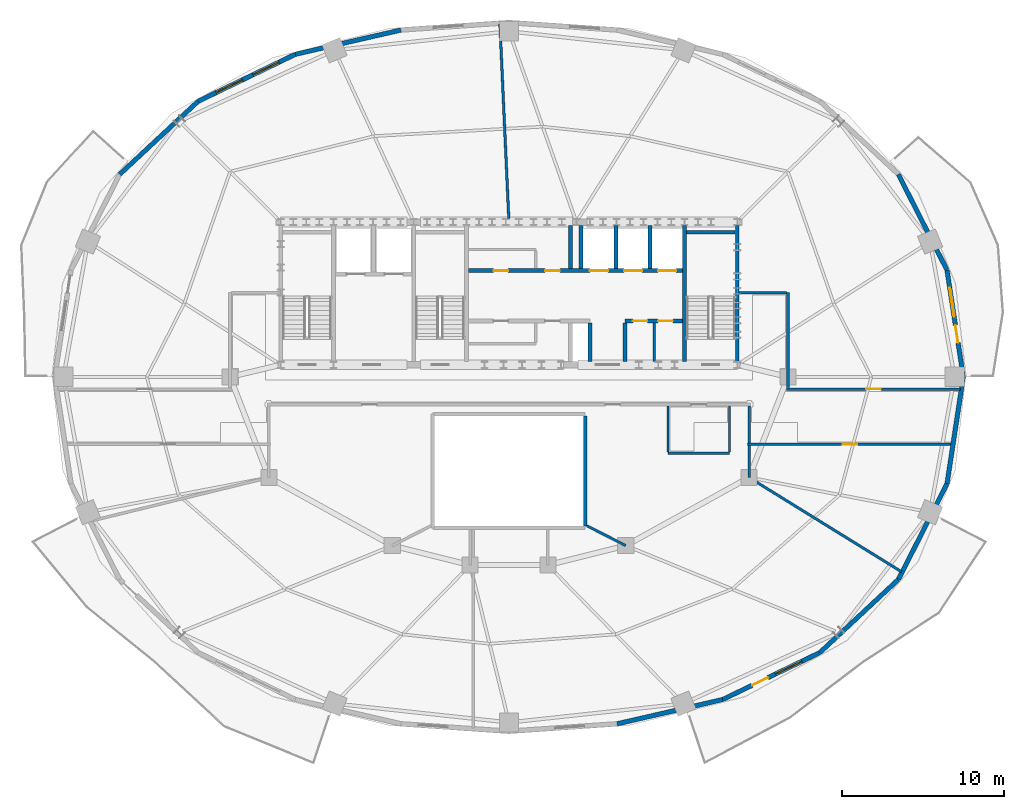
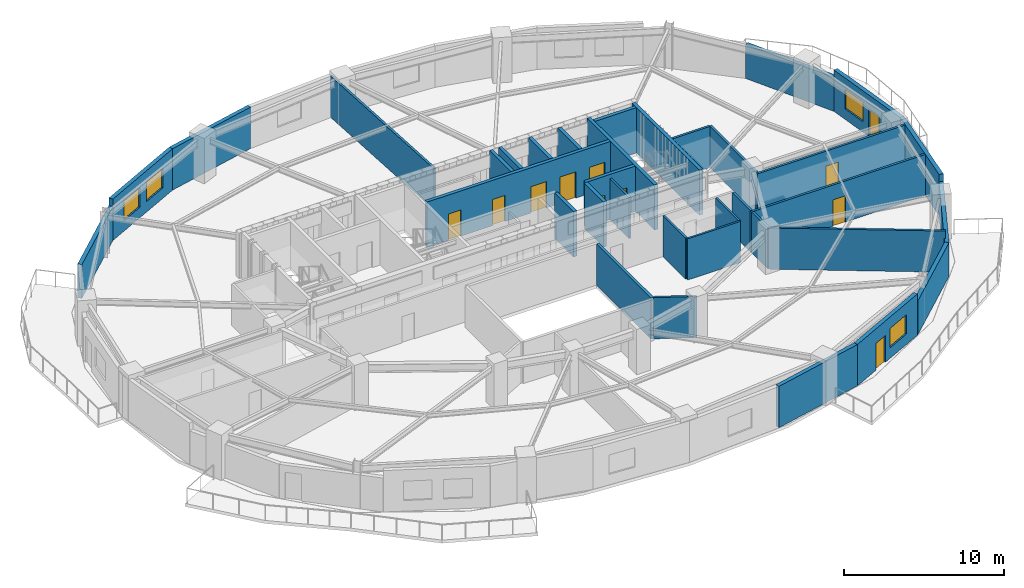
# One storey, part 5 of 11: 35 walls, 11 doors, 4 windows, 15 openings.
"""IFC4 building model written with IfcOpenShell, lengths in metres."""

from ifc_helpers import new_model, si_unit, direction, frame, frame_2d, origin, place, context, subcontext, project, spatial, rectangle, extrude, material, layer, layer_set, type_object, element, fill, save


model = new_model("IFC4")

# Units and contexts
model_context = context("Model", 3, precision=1e-05, world=origin(), true_north=direction((0.0, 1.0)))
body_context = subcontext(model_context, "Body", "Model", "MODEL_VIEW")
ifc_project = project(units=[si_unit("LENGTHUNIT", "METRE"), si_unit("AREAUNIT", "SQUARE_METRE"), si_unit("VOLUMEUNIT", "CUBIC_METRE"), si_unit("PLANEANGLEUNIT", "RADIAN"), si_unit("MASSUNIT", "GRAM", prefix="KILO")], contexts=[model_context])

# Site, building, storey
site_placement = place(None, origin())
site = spatial("IfcSite", under=ifc_project, at=site_placement, CompositionType="ELEMENT")
building_placement = place(site_placement, origin())
building = spatial("IfcBuilding", under=site, at=building_placement, Name="Haldorwick Loom Tower", CompositionType="ELEMENT")
storey_placement = place(building_placement, frame((0.0, 0.0, 218.64990234375)))
storey = spatial("IfcBuildingStorey", under=building, at=storey_placement, Name="L59", CompositionType="ELEMENT", Elevation=218.64990234375)

# Wall, openings, door, window
ifc_material_1 = material(Name="Pressed Clay Face Brick and Insulated Masonry Backup Assembly", Category="masonry")
ifc_layer_1 = layer(ifc_material_1, 0.280029296875, Name="Pressed Clay Face Brick and Insulated Masonry Backup Assembly", Category="masonry")
ifc_layer_set_1 = layer_set([ifc_layer_1], Name="Pressed Clay Face Brick and Insulated Masonry Backup Assembly")
wall_type_1 = type_object("IfcWallType", Name="ARC-WL-EXT280", PredefinedType="STANDARD", material=ifc_layer_set_1)
wall_1_placement = place(storey_placement, frame((64.00634765625, 26.0, 0.0), z_axis=(0.0, 0.0, 1.0), x_axis=(-0.150467697578, 0.988614926038, 0.0)))
wall_1 = element("IfcWall", 1, at=wall_1_placement, inside=storey, type_object=wall_type_1, Name="L59 Brick Pier and Spandrel Wall 1", PredefinedType="STANDARD", context=body_context, shape_type="SweptSolid", body=[
    extrude(rectangle(XDim=6.66064453125, YDim=0.280029296875, at=frame_2d((3.330322265625, 0.0))), origin(), (0.0, 0.0, 1.0), 3.150146484375),
])
opening_1_placement = place(wall_1_placement, frame((2.1328125, 0.0, 0.0)))
opening_1 = element("IfcOpeningElement", 2, at=opening_1_placement, cuts=wall_1, Name="Opening D-BL11", PredefinedType="OPENING", context=body_context, shape_type="SweptSolid", body=[
    extrude(rectangle(XDim=1.080078125, YDim=2.0400390625, at=frame_2d((0.5400390625, 1.02001953125))), frame((0.0, 0.14990234375, 0.0), z_axis=(0.0, -1.0, 0.0), x_axis=(1.0, 0.0, 0.0)), (0.0, 0.0, 1.0), 0.300048828125),
])
opening_2_placement = place(wall_1_placement, frame((3.762451171875, 0.0, 0.800048828125)))
opening_2 = element("IfcOpeningElement", 3, at=opening_2_placement, cuts=wall_1, Name="Opening W-01", PredefinedType="OPENING", context=body_context, shape_type="SweptSolid", body=[
    extrude(rectangle(XDim=1.800048828125, YDim=1.47998046875, at=frame_2d((0.89990234375, 0.739990234375))), frame((0.0, 0.14990234375, 0.0), z_axis=(0.0, -1.0, 0.0), x_axis=(1.0, 0.0, 0.0)), (0.0, 0.0, 1.0), 0.300048828125),
])
ifc_material_2 = material(Name="Thermally Broken Anodized Aluminium Curtain Wall Framing", Category="aluminium")
door_type_1 = type_object("IfcDoorType", Name="ARC-DR-BAL110", OperationType="NOTDEFINED", PredefinedType="DOOR", material=ifc_material_2)
door_1_placement = place(opening_1_placement, origin())
door_1 = element("IfcDoor", 4, at=door_1_placement, inside=storey, type_object=door_type_1, Name="L59 Outdoor Terrace Door SLB-L59-BAL_ENE", OperationType="SINGLE_SWING_RIGHT", OverallHeight=2.0400390625, OverallWidth=1.080078125, PredefinedType="DOOR", context=body_context, shape_type="SweptSolid", body=[
    extrude(rectangle(XDim=1.080078125, YDim=2.0400390625, at=frame_2d((0.5400390625, 1.02001953125))), frame((0.0, 0.02490234375, 0.0), z_axis=(0.0, -1.0, 0.0), x_axis=(1.0, 0.0, 0.0)), (0.0, 0.0, 1.0), 0.050048828125),
])
fill(opening_1, door_1)
ifc_material_3 = material(Name="Triple-Glazed Low-E Argon Insulated Glazing Unit", Category="glass")
window_type = type_object("IfcWindowType", Name="ARC-WIN-W180", PartitioningType="SINGLE_PANEL", PredefinedType="WINDOW", material=ifc_material_3)
window_1_placement = place(opening_2_placement, origin())
window_1 = element("IfcWindow", 5, at=window_1_placement, inside=storey, type_object=window_type, Name="L59 Deep-Set Zone 7A Window 1", OverallHeight=1.47998046875, OverallWidth=1.800048828125, PartitioningType="SINGLE_PANEL", PredefinedType="WINDOW", context=body_context, shape_type="SweptSolid", body=[
    extrude(rectangle(XDim=1.800048828125, YDim=1.47998046875, at=frame_2d((0.89990234375, 0.739990234375))), frame((0.0, 0.030029296875, 0.0), z_axis=(0.0, -1.0, 0.0), x_axis=(1.0, 0.0, 0.0)), (0.0, 0.0, 1.0), 0.06005859375),
])
fill(opening_2, window_1)

# Walls
wall_2_placement = place(storey_placement, frame((63.004150390625, 32.584716796875, 0.0), z_axis=(0.0, 0.0, 1.0), x_axis=(-0.453032066879, 0.89149422117, 0.0)))
element("IfcWall", 6, at=wall_2_placement, inside=storey, type_object=wall_type_1, Name="L59 Brick Pier and Spandrel Wall 2", PredefinedType="STANDARD", context=body_context, shape_type="SweptSolid", body=[
    extrude(rectangle(XDim=6.618896484375, YDim=0.280029296875, at=frame_2d((3.3095703125, 0.0))), origin(), (0.0, 0.0, 1.0), 2.5810546875),
])
wall_3_placement = place(storey_placement, frame((29.334716796875, 47.38720703125, 0.0), z_axis=(0.0, 0.0, 1.0), x_axis=(-0.974557343474, -0.224138315065, 0.0)))
element("IfcWall", 7, at=wall_3_placement, inside=storey, type_object=wall_type_1, Name="L59 Brick Pier and Spandrel Wall 8", PredefinedType="STANDARD", context=body_context, shape_type="SweptSolid", body=[
    extrude(rectangle(XDim=6.676025390625, YDim=0.280029296875, at=frame_2d((3.337890625, 0.0))), origin(), (0.0, 0.0, 1.0), 3.150146484375),
])

# Wall, openings, windows
wall_4_placement = place(storey_placement, frame((22.82861328125, 45.890869140625, 0.0), z_axis=(0.0, 0.0, 1.0), x_axis=(-0.900371236029, -0.435122554381, 0.0)))
wall_4 = element("IfcWall", 8, at=wall_4_placement, inside=storey, type_object=wall_type_1, Name="L59 Brick Pier and Spandrel Wall 9", PredefinedType="STANDARD", context=body_context, shape_type="SweptSolid", body=[
    extrude(rectangle(XDim=6.6533203125, YDim=0.280029296875, at=frame_2d((3.32666015625, 0.0))), origin(), (0.0, 0.0, 1.0), 3.150146484375),
])
opening_3_placement = place(wall_4_placement, frame((1.095947265625, 0.0, 0.800048828125)))
opening_3 = element("IfcOpeningElement", 9, at=opening_3_placement, cuts=wall_4, Name="Opening W-01", PredefinedType="OPENING", context=body_context, shape_type="SweptSolid", body=[
    extrude(rectangle(XDim=1.800048828125, YDim=1.47998046875, at=frame_2d((0.89990234375, 0.739990234375))), frame((0.0, 0.14990234375, 0.0), z_axis=(0.0, -1.0, 0.0), x_axis=(1.0, 0.0, 0.0)), (0.0, 0.0, 1.0), 0.300048828125),
])
opening_4_placement = place(wall_4_placement, frame((3.618896484375, 0.0, 0.800048828125)))
opening_4 = element("IfcOpeningElement", 10, at=opening_4_placement, cuts=wall_4, Name="Opening W-01", PredefinedType="OPENING", context=body_context, shape_type="SweptSolid", body=[
    extrude(rectangle(XDim=1.800048828125, YDim=1.47998046875, at=frame_2d((0.89990234375, 0.739990234375))), frame((0.0, 0.14990234375, 0.0), z_axis=(0.0, -1.0, 0.0), x_axis=(1.0, 0.0, 0.0)), (0.0, 0.0, 1.0), 0.300048828125),
])
window_2_placement = place(opening_3_placement, origin())
window_2 = element("IfcWindow", 11, at=window_2_placement, inside=storey, type_object=window_type, Name="L59 Deep-Set Zone 7A Window 9", OverallHeight=1.47998046875, OverallWidth=1.800048828125, PartitioningType="SINGLE_PANEL", PredefinedType="WINDOW", context=body_context, shape_type="SweptSolid", body=[
    extrude(rectangle(XDim=1.800048828125, YDim=1.47998046875, at=frame_2d((0.89990234375, 0.739990234375))), frame((0.0, 0.030029296875, 0.0), z_axis=(0.0, -1.0, 0.0), x_axis=(1.0, 0.0, 0.0)), (0.0, 0.0, 1.0), 0.06005859375),
])
fill(opening_3, window_2)
window_3_placement = place(opening_4_placement, origin())
window_3 = element("IfcWindow", 12, at=window_3_placement, inside=storey, type_object=window_type, Name="L59 Deep-Set Zone 7A Window 9", OverallHeight=1.47998046875, OverallWidth=1.800048828125, PartitioningType="SINGLE_PANEL", PredefinedType="WINDOW", context=body_context, shape_type="SweptSolid", body=[
    extrude(rectangle(XDim=1.800048828125, YDim=1.47998046875, at=frame_2d((0.89990234375, 0.739990234375))), frame((0.0, 0.030029296875, 0.0), z_axis=(0.0, -1.0, 0.0), x_axis=(1.0, 0.0, 0.0)), (0.0, 0.0, 1.0), 0.06005859375),
])
fill(opening_4, window_3)

# Walls
wall_5_placement = place(storey_placement, frame((16.838134765625, 42.995849609375, 0.0), z_axis=(0.0, 0.0, 1.0), x_axis=(-0.731833707499, -0.681483253329, 0.0)))
element("IfcWall", 13, at=wall_5_placement, inside=storey, type_object=wall_type_1, Name="L59 Brick Pier and Spandrel Wall 10", PredefinedType="STANDARD", context=body_context, shape_type="SweptSolid", body=[
    extrude(rectangle(XDim=6.61865234375, YDim=0.280029296875, at=frame_2d((3.309326171875, 0.0))), origin(), (0.0, 0.0, 1.0), 2.5810546875),
])
wall_6_placement = place(storey_placement, frame((42.665283203125, 4.61279296875, 0.0), z_axis=(0.0, 0.0, 1.0), x_axis=(0.974557343474, 0.224138315065, 0.0)))
element("IfcWall", 14, at=wall_6_placement, inside=storey, type_object=wall_type_1, Name="L59 Brick Pier and Spandrel Wall 20", PredefinedType="STANDARD", context=body_context, shape_type="SweptSolid", body=[
    extrude(rectangle(XDim=6.676025390625, YDim=0.280029296875, at=frame_2d((3.337890625, 0.0))), origin(), (0.0, 0.0, 1.0), 3.150146484375),
])

# Wall, openings, door, window
wall_7_placement = place(storey_placement, frame((49.17138671875, 6.109130859375, 0.0), z_axis=(0.0, 0.0, 1.0), x_axis=(0.900371236029, 0.435122554381, 0.0)))
wall_7 = element("IfcWall", 15, at=wall_7_placement, inside=storey, type_object=wall_type_1, Name="L59 Brick Pier and Spandrel Wall 21", PredefinedType="STANDARD", context=body_context, shape_type="SweptSolid", body=[
    extrude(rectangle(XDim=6.6533203125, YDim=0.280029296875, at=frame_2d((3.32666015625, 0.0))), origin(), (0.0, 0.0, 1.0), 3.150146484375),
])
opening_5_placement = place(wall_7_placement, frame((2.022705078125, 0.0, 0.0)))
opening_5 = element("IfcOpeningElement", 16, at=opening_5_placement, cuts=wall_7, Name="Opening D-BL11", PredefinedType="OPENING", context=body_context, shape_type="SweptSolid", body=[
    extrude(rectangle(XDim=1.080078125, YDim=2.0400390625, at=frame_2d((0.5400390625, 1.02001953125))), frame((0.0, 0.14990234375, 0.0), z_axis=(0.0, -1.0, 0.0), x_axis=(1.0, 0.0, 0.0)), (0.0, 0.0, 1.0), 0.300048828125),
])
opening_6_placement = place(wall_7_placement, frame((3.618896484375, 0.0, 0.800048828125)))
opening_6 = element("IfcOpeningElement", 17, at=opening_6_placement, cuts=wall_7, Name="Opening W-01", PredefinedType="OPENING", context=body_context, shape_type="SweptSolid", body=[
    extrude(rectangle(XDim=1.800048828125, YDim=1.47998046875, at=frame_2d((0.89990234375, 0.739990234375))), frame((0.0, 0.14990234375, 0.0), z_axis=(0.0, -1.0, 0.0), x_axis=(1.0, 0.0, 0.0)), (0.0, 0.0, 1.0), 0.300048828125),
])
door_2_placement = place(opening_5_placement, origin())
door_2 = element("IfcDoor", 18, at=door_2_placement, inside=storey, type_object=door_type_1, Name="L59 Outdoor Terrace Door SLB-L59-BAL_SE", OperationType="SINGLE_SWING_RIGHT", OverallHeight=2.0400390625, OverallWidth=1.080078125, PredefinedType="DOOR", context=body_context, shape_type="SweptSolid", body=[
    extrude(rectangle(XDim=1.080078125, YDim=2.0400390625, at=frame_2d((0.5400390625, 1.02001953125))), frame((0.0, 0.02490234375, 0.0), z_axis=(0.0, -1.0, 0.0), x_axis=(1.0, 0.0, 0.0)), (0.0, 0.0, 1.0), 0.050048828125),
])
fill(opening_5, door_2)
window_4_placement = place(opening_6_placement, origin())
window_4 = element("IfcWindow", 19, at=window_4_placement, inside=storey, type_object=window_type, Name="L59 Deep-Set Zone 7A Window 21", OverallHeight=1.47998046875, OverallWidth=1.800048828125, PartitioningType="SINGLE_PANEL", PredefinedType="WINDOW", context=body_context, shape_type="SweptSolid", body=[
    extrude(rectangle(XDim=1.800048828125, YDim=1.47998046875, at=frame_2d((0.89990234375, 0.739990234375))), frame((0.0, 0.030029296875, 0.0), z_axis=(0.0, -1.0, 0.0), x_axis=(1.0, 0.0, 0.0)), (0.0, 0.0, 1.0), 0.06005859375),
])
fill(opening_6, window_4)

# Walls
wall_8_placement = place(storey_placement, frame((55.161865234375, 9.004150390625, 0.0), z_axis=(0.0, 0.0, 1.0), x_axis=(0.731833707499, 0.681483253329, 0.0)))
element("IfcWall", 20, at=wall_8_placement, inside=storey, type_object=wall_type_1, Name="L59 Brick Pier and Spandrel Wall 22", PredefinedType="STANDARD", context=body_context, shape_type="SweptSolid", body=[
    extrude(rectangle(XDim=6.61865234375, YDim=0.280029296875, at=frame_2d((3.309326171875, 0.0))), origin(), (0.0, 0.0, 1.0), 2.5810546875),
])
wall_9_placement = place(storey_placement, frame((60.005615234375, 13.5146484375, 0.0), z_axis=(0.0, 0.0, 1.0), x_axis=(0.453032066879, 0.89149422117, 0.0)))
element("IfcWall", 21, at=wall_9_placement, inside=storey, type_object=wall_type_1, Name="L59 Brick Pier and Spandrel Wall 23", PredefinedType="STANDARD", context=body_context, shape_type="SweptSolid", body=[
    extrude(rectangle(XDim=6.618896484375, YDim=0.280029296875, at=frame_2d((3.3095703125, 0.0))), origin(), (0.0, 0.0, 1.0), 2.5810546875),
])
wall_10_placement = place(storey_placement, frame((63.004150390625, 19.415283203125, 0.0), z_axis=(0.0, 0.0, 1.0), x_axis=(0.150467697578, 0.988614926038, 0.0)))
element("IfcWall", 22, at=wall_10_placement, inside=storey, type_object=wall_type_1, Name="L59 Brick Pier and Spandrel Wall 24", PredefinedType="STANDARD", context=body_context, shape_type="SweptSolid", body=[
    extrude(rectangle(XDim=6.66064453125, YDim=0.280029296875, at=frame_2d((3.330322265625, 0.0))), origin(), (0.0, 0.0, 1.0), 3.150146484375),
])

# Wall, opening, door
ifc_material_4 = material(Name="Fire-Rated Type X Gypsum Stud Assembly EI 60")
ifc_layer_2 = layer(ifc_material_4, 0.159912109375, Name="Fire-Rated Type X Gypsum Stud Assembly EI 60")
ifc_layer_set_2 = layer_set([ifc_layer_2], Name="Fire-Rated Type X Gypsum Stud Assembly EI 60")
wall_type_2 = type_object("IfcWallType", Name="ARC-WL-FIRE160", PredefinedType="PARTITIONING", material=ifc_layer_set_2)
wall_11_placement = place(storey_placement, frame((50.699951171875, 21.85009765625, 0.0), z_axis=(0.0, 0.0, 1.0), x_axis=(1.0, 0.0, 0.0)))
wall_11 = element("IfcWall", 23, at=wall_11_placement, inside=storey, type_object=wall_type_2, Name="L59 Residential Fire Partition L59-CR-SPE", PredefinedType="PARTITIONING", context=body_context, shape_type="SweptSolid", body=[
    extrude(rectangle(XDim=12.629150390625, YDim=0.159912109375, at=frame_2d((6.314453125, 0.0))), origin(), (0.0, 0.0, 1.0), 3.135009765625),
])
opening_7_placement = place(wall_11_placement, frame((5.864501953125, 0.0, 0.0)))
opening_7 = element("IfcOpeningElement", 24, at=opening_7_placement, cuts=wall_11, Name="Opening D-FD60A", PredefinedType="OPENING", context=body_context, shape_type="SweptSolid", body=[
    extrude(rectangle(XDim=0.89990234375, YDim=2.0, at=frame_2d((0.449951171875, 1.0))), frame((0.0, 0.08984375, 0.0), z_axis=(0.0, -1.0, 0.0), x_axis=(1.0, 0.0, 0.0)), (0.0, 0.0, 1.0), 0.179931640625),
])
ifc_material_5 = material(Name="Hollow Steel Fire Door Assembly", Category="steel")
door_type_2 = type_object("IfcDoorType", Name="ARC-DR-FD60-90", OperationType="NOTDEFINED", PredefinedType="DOOR", material=ifc_material_5)
door_3_placement = place(opening_7_placement, origin())
door_3 = element("IfcDoor", 25, at=door_3_placement, inside=storey, type_object=door_type_2, Name="L59 L59 Central Residential Corridor to Telehealth Consultation Room 1 D", OperationType="SINGLE_SWING_RIGHT", OverallHeight=2.0, OverallWidth=0.89990234375, PredefinedType="DOOR", context=body_context, shape_type="SweptSolid", body=[
    extrude(rectangle(XDim=0.89990234375, YDim=2.0, at=frame_2d((0.449951171875, 1.0))), frame((0.0, 0.02490234375, 0.0), z_axis=(0.0, -1.0, 0.0), x_axis=(1.0, 0.0, 0.0)), (0.0, 0.0, 1.0), 0.050048828125),
])
fill(opening_7, door_3)

# Wall
wall_12_placement = place(storey_placement, frame((50.800048828125, 21.93310546875, 0.0), z_axis=(0.0, 0.0, 1.0), x_axis=(0.0, 1.0, 0.0)))
element("IfcWall", 26, at=wall_12_placement, inside=storey, type_object=wall_type_2, Name="L59 Residential Fire Partition L59-CR-STE", PredefinedType="PARTITIONING", context=body_context, shape_type="SweptSolid", body=[
    extrude(rectangle(XDim=2.283935546875, YDim=0.159912109375, at=frame_2d((1.14208984375, 0.0))), origin(), (0.0, 0.0, 1.0), 3.135009765625),
])

# Wall, opening, door
wall_13_placement = place(storey_placement, frame((53.10009765625, 25.25, 0.0), z_axis=(0.0, 0.0, 1.0), x_axis=(1.0, 0.0, 0.0)))
wall_13 = element("IfcWall", 27, at=wall_13_placement, inside=storey, type_object=wall_type_2, Name="L59 Residential Fire Partition L59-CR-NEL", PredefinedType="PARTITIONING", context=body_context, shape_type="SweptSolid", body=[
    extrude(rectangle(XDim=10.74658203125, YDim=0.159912109375, at=frame_2d((5.373291015625, 0.0))), origin(), (0.0, 0.0, 1.0), 3.135009765625),
])
opening_8_placement = place(wall_13_placement, frame((4.92333984375, 0.0, 0.0)))
opening_8 = element("IfcOpeningElement", 28, at=opening_8_placement, cuts=wall_13, Name="Opening D-FD60A", PredefinedType="OPENING", context=body_context, shape_type="SweptSolid", body=[
    extrude(rectangle(XDim=0.89990234375, YDim=2.0, at=frame_2d((0.449951171875, 1.0))), frame((0.0, 0.08984375, 0.0), z_axis=(0.0, -1.0, 0.0), x_axis=(1.0, 0.0, 0.0)), (0.0, 0.0, 1.0), 0.179931640625),
])
door_4_placement = place(opening_8_placement, frame((0.89990234375, 0.0, 0.0), z_axis=(0.0, 0.0, 1.0), x_axis=(-1.0, 0.0, 0.0)))
door_4 = element("IfcDoor", 29, at=door_4_placement, inside=storey, type_object=door_type_2, Name="L59 Tenant Seminar Meeting Room 6 to L59 Central Residential Corridor Do", OperationType="SINGLE_SWING_LEFT", OverallHeight=2.0, OverallWidth=0.89990234375, PredefinedType="DOOR", context=body_context, shape_type="SweptSolid", body=[
    extrude(rectangle(XDim=0.89990234375, YDim=2.0, at=frame_2d((0.449951171875, 1.0))), frame((0.0, 0.02490234375, 0.0), z_axis=(0.0, -1.0, 0.0), x_axis=(1.0, 0.0, 0.0)), (0.0, 0.0, 1.0), 0.050048828125),
])
fill(opening_8, door_4)

# Walls
wall_14_placement = place(storey_placement, frame((53.199951171875, 25.3330078125, 0.0), z_axis=(0.0, 0.0, 1.0), x_axis=(0.0, 1.0, 0.0)))
element("IfcWall", 30, at=wall_14_placement, inside=storey, type_object=wall_type_2, Name="L59 Residential Fire Partition L59-CR-E0", PredefinedType="PARTITIONING", context=body_context, shape_type="SweptSolid", body=[
    extrude(rectangle(XDim=5.866943359375, YDim=0.159912109375, at=frame_2d((2.93359375, 0.0))), origin(), (0.0, 0.0, 1.0), 3.135009765625),
])
wall_15_placement = place(storey_placement, frame((50.193115234375, 31.199951171875, 0.0), z_axis=(0.0, 0.0, 1.0), x_axis=(1.0, 0.0, 0.0)))
element("IfcWall", 31, at=wall_15_placement, inside=storey, type_object=wall_type_2, Name="L59 Residential Fire Partition L59-CR-ENJ", PredefinedType="PARTITIONING", context=body_context, shape_type="SweptSolid", body=[
    extrude(rectangle(XDim=2.923828125, YDim=0.159912109375, at=frame_2d((1.4619140625, 0.0))), origin(), (0.0, 0.0, 1.0), 3.135009765625),
])
wall_16_placement = place(storey_placement, frame((50.800048828125, 19.800048828125, 0.0), z_axis=(0.0, 0.0, 1.0), x_axis=(0.850537239217, -0.525914826473, 0.0)))
element("IfcWall", 32, at=wall_16_placement, inside=storey, type_object=wall_type_2, Name="L59 Residential Fire Partition L59-ICR-02", PredefinedType="PARTITIONING", context=body_context, shape_type="SweptSolid", body=[
    extrude(rectangle(XDim=11.048095703125, YDim=0.159912109375, at=frame_2d((5.52392578125, 0.0))), origin(), (0.0, 0.0, 1.0), 3.135009765625),
])
wall_17_placement = place(storey_placement, frame((50.800048828125, 21.76708984375, 0.0), z_axis=(0.0, 0.0, 1.0), x_axis=(0.0, -1.0, 0.0)))
element("IfcWall", 33, at=wall_17_placement, inside=storey, type_object=wall_type_2, Name="L59 Residential Fire Partition L59-ICA-01", PredefinedType="PARTITIONING", context=body_context, shape_type="SweptSolid", body=[
    extrude(rectangle(XDim=1.967041015625, YDim=0.159912109375, at=frame_2d((0.9833984375, 0.0))), origin(), (0.0, 0.0, 1.0), 3.135009765625),
])
wall_18_placement = place(storey_placement, frame((40.802978515625, 16.822021484375, 0.0), z_axis=(0.0, 0.0, 1.0), x_axis=(0.890915506237, -0.454169088278, 0.0)))
element("IfcWall", 34, at=wall_18_placement, inside=storey, type_object=wall_type_2, Name="L59 Residential Fire Partition L59-ICA-03", PredefinedType="PARTITIONING", context=body_context, shape_type="SweptSolid", body=[
    extrude(rectangle(XDim=2.6904296875, YDim=0.159912109375, at=frame_2d((1.34521484375, 0.0))), origin(), (0.0, 0.0, 1.0), 3.135009765625),
])
wall_19_placement = place(storey_placement, frame((35.986083984375, 35.7529296875, 0.0), z_axis=(0.0, 0.0, 1.0), x_axis=(-0.045595599454, 0.998959979834, 0.0)))
element("IfcWall", 35, at=wall_19_placement, inside=storey, type_object=wall_type_2, Name="L59 Residential Fire Partition L59-UPN-C3", PredefinedType="PARTITIONING", context=body_context, shape_type="SweptSolid", body=[
    extrude(rectangle(XDim=12.020751953125, YDim=0.159912109375, at=frame_2d((6.01025390625, 0.0))), origin(), (0.0, 0.0, 1.0), 3.135009765625),
])
ifc_material_6 = material(Name="Fire-Rated Type X Gypsum Stud Assembly EI 120")
ifc_layer_3 = layer(ifc_material_6, 0.199951171875, Name="Fire-Rated Type X Gypsum Stud Assembly EI 120")
ifc_layer_set_3 = layer_set([ifc_layer_3], Name="Fire-Rated Type X Gypsum Stud Assembly EI 120")
wall_type_3 = type_object("IfcWallType", Name="ARC-WL-FIRE200", PredefinedType="PARTITIONING", material=ifc_layer_set_3)
wall_20_placement = place(storey_placement, frame((40.699951171875, 23.596923828125, 0.0), z_axis=(0.0, 0.0, 1.0), x_axis=(0.0, -1.0, 0.0)))
element("IfcWall", 36, at=wall_20_placement, inside=storey, type_object=wall_type_3, Name="L59 Atrium Fire Enclosure Wall E", PredefinedType="PARTITIONING", context=body_context, shape_type="SweptSolid", body=[
    extrude(rectangle(XDim=6.7939453125, YDim=0.199951171875, at=frame_2d((3.39697265625, 0.0))), origin(), (0.0, 0.0, 1.0), 3.135009765625),
])
ifc_layer_4 = layer(ifc_material_4, 0.139892578125, Name="Fire-Rated Type X Gypsum Stud Assembly EI 60")
ifc_layer_set_4 = layer_set([ifc_layer_4], Name="Fire-Rated Type X Gypsum Stud Assembly EI 60")
wall_type_4 = type_object("IfcWallType", Name="ARC-WL-PART140", PredefinedType="PARTITIONING", material=ifc_layer_set_4)
wall_21_placement = place(storey_placement, frame((44.949951171875, 26.952880859375, 0.0), z_axis=(0.0, 0.0, 1.0), x_axis=(0.0, 1.0, 0.0)))
element("IfcWall", 37, at=wall_21_placement, inside=storey, type_object=wall_type_4, Name="L59 Service Partition", PredefinedType="PARTITIONING", context=body_context, shape_type="SweptSolid", body=[
    extrude(rectangle(XDim=2.3740234375, YDim=0.139892578125, at=frame_2d((1.18701171875, 0.0))), origin(), (0.0, 0.0, 1.0), 3.135009765625),
])
wall_22_placement = place(storey_placement, frame((45.800048828125, 21.300048828125, 0.0), z_axis=(0.0, 0.0, 1.0), x_axis=(1.0, 0.0, 0.0)))
element("IfcWall", 38, at=wall_22_placement, inside=storey, type_object=wall_type_4, Name="L59 Residential Fire Partition L59-CWC-S", PredefinedType="PARTITIONING", context=body_context, shape_type="SweptSolid", body=[
    extrude(rectangle(XDim=3.800048828125, YDim=0.139892578125, at=frame_2d((1.89990234375, 0.0))), origin(), (0.0, 0.0, 1.0), 3.135009765625),
])
for number, where, z_axis, x_axis, name in (
    (39, (45.800048828125, 21.373046875, 0.0), (0.0, 0.0, 1.0), (0.0, 1.0, 0.0), "L59 Residential Fire Partition L59-CWC-W"),
    (40, (49.60009765625, 21.373046875, 0.0), (0.0, 0.0, 1.0), (0.0, 1.0, 0.0), "L59 Residential Fire Partition L59-CWC-E"),
):
    element("IfcWall", number, at=place(storey_placement, frame(where, z_axis=z_axis, x_axis=x_axis)), inside=storey, type_object=wall_type_4, Name=name, PredefinedType="PARTITIONING", context=body_context, shape_type="SweptSolid", body=[
        extrude(rectangle(XDim=2.843994140625, YDim=0.139892578125, at=frame_2d((1.421875, 0.0))), origin(), (0.0, 0.0, 1.0), 3.135009765625),
    ])
ifc_material_7 = material(Name="Concrete C50 (50 MPa)", Category="concrete")
ifc_layer_5 = layer(ifc_material_7, 0.239990234375, Name="Concrete C50 (50 MPa)", Category="concrete")
ifc_layer_set_5 = layer_set([ifc_layer_5], Name="Concrete C50 (50 MPa)")
wall_type_5 = type_object("IfcWallType", Name="STR-WL-SHAFT240", PredefinedType="SHEAR", material=ifc_layer_set_5)
for number, where, z_axis, x_axis, name in (
    (41, (50.070068359375, 26.952880859375, 0.0), (0.0, 0.0, 1.0), (0.0, 1.0, 0.0), "L59 Core Shear Wall E"),
    (42, (46.830078125, 26.952880859375, 0.0), (0.0, 0.0, 1.0), (0.0, 1.0, 0.0), "L59 Core Shear Wall 4"),
):
    element("IfcWall", number, at=place(storey_placement, frame(where, z_axis=z_axis, x_axis=x_axis)), inside=storey, type_object=wall_type_5, Name=name, PredefinedType="SHEAR", context=body_context, shape_type="SweptSolid", body=[
        extrude(rectangle(XDim=8.39404296875, YDim=0.239990234375, at=frame_2d((4.197021484375, 0.0))), origin(), (0.0, 0.0, 1.0), 3.4501953125),
    ])
wall_23_placement = place(storey_placement, frame((46.952880859375, 34.919921875, 0.0), z_axis=(0.0, 0.0, 1.0), x_axis=(1.0, 0.0, 0.0)))
element("IfcWall", 43, at=wall_23_placement, inside=storey, type_object=wall_type_5, Name="L59 Core Shear Wall 4N", PredefinedType="SHEAR", context=body_context, shape_type="SweptSolid", body=[
    extrude(rectangle(XDim=2.994140625, YDim=0.239990234375, at=frame_2d((1.4970703125, 0.0))), origin(), (0.0, 0.0, 1.0), 3.4501953125),
])

# Wall, openings, doors
wall_24_placement = place(storey_placement, frame((33.492919921875, 32.550048828125, 0.0), z_axis=(0.0, 0.0, 1.0), x_axis=(1.0, 0.0, 0.0)))
wall_24 = element("IfcWall", 44, at=wall_24_placement, inside=storey, type_object=wall_type_5, Name="L59 Core Shear Wall LN", PredefinedType="SHEAR", context=body_context, shape_type="SweptSolid", body=[
    extrude(rectangle(XDim=13.214111328125, YDim=0.239990234375, at=frame_2d((6.60693359375, 0.0))), origin(), (0.0, 0.0, 1.0), 3.4501953125),
])
opening_9_placement = place(wall_24_placement, frame((1.556884765625, 0.0, 0.0)))
opening_9 = element("IfcOpeningElement", 45, at=opening_9_placement, cuts=wall_24, Name="Opening D-FD60A", PredefinedType="OPENING", context=body_context, shape_type="SweptSolid", body=[
    extrude(rectangle(XDim=0.89990234375, YDim=2.0, at=frame_2d((0.449951171875, 1.0))), frame((0.0, 0.1298828125, 0.0), z_axis=(0.0, -1.0, 0.0), x_axis=(1.0, 0.0, 0.0)), (0.0, 0.0, 1.0), 0.260009765625),
])
opening_10_placement = place(wall_24_placement, frame((4.737060546875, 0.0, 0.0)))
opening_10 = element("IfcOpeningElement", 46, at=opening_10_placement, cuts=wall_24, Name="Opening D-FD60A", PredefinedType="OPENING", context=body_context, shape_type="SweptSolid", body=[
    extrude(rectangle(XDim=0.89990234375, YDim=2.0, at=frame_2d((0.449951171875, 1.0))), frame((0.0, 0.1298828125, 0.0), z_axis=(0.0, -1.0, 0.0), x_axis=(1.0, 0.0, 0.0)), (0.0, 0.0, 1.0), 0.260009765625),
])
opening_11_placement = place(wall_24_placement, frame((7.4970703125, 0.0, 0.0)))
opening_11 = element("IfcOpeningElement", 47, at=opening_11_placement, cuts=wall_24, Name="Opening LD-H1", PredefinedType="OPENING", context=body_context, shape_type="SweptSolid", body=[
    extrude(rectangle(XDim=1.1201171875, YDim=2.0, at=frame_2d((0.56005859375, 1.0))), frame((0.0, 0.1298828125, 0.0), z_axis=(0.0, -1.0, 0.0), x_axis=(1.0, 0.0, 0.0)), (0.0, 0.0, 1.0), 0.260009765625),
])
opening_12_placement = place(wall_24_placement, frame((9.596923828125, 0.0, 0.0)))
opening_12 = element("IfcOpeningElement", 48, at=opening_12_placement, cuts=wall_24, Name="Opening LD-H2", PredefinedType="OPENING", context=body_context, shape_type="SweptSolid", body=[
    extrude(rectangle(XDim=1.1201171875, YDim=2.0, at=frame_2d((0.56005859375, 1.0))), frame((0.0, 0.1298828125, 0.0), z_axis=(0.0, -1.0, 0.0), x_axis=(1.0, 0.0, 0.0)), (0.0, 0.0, 1.0), 0.260009765625),
])
opening_13_placement = place(wall_24_placement, frame((11.697021484375, 0.0, 0.0)))
opening_13 = element("IfcOpeningElement", 49, at=opening_13_placement, cuts=wall_24, Name="Opening LD-H3", PredefinedType="OPENING", context=body_context, shape_type="SweptSolid", body=[
    extrude(rectangle(XDim=1.1201171875, YDim=2.0, at=frame_2d((0.56005859375, 1.0))), frame((0.0, 0.1298828125, 0.0), z_axis=(0.0, -1.0, 0.0), x_axis=(1.0, 0.0, 0.0)), (0.0, 0.0, 1.0), 0.260009765625),
])
door_5_placement = place(opening_9_placement, frame((0.89990234375, 0.0, 0.0), z_axis=(0.0, 0.0, 1.0), x_axis=(-1.0, 0.0, 0.0)))
door_5 = element("IfcDoor", 50, at=door_5_placement, inside=storey, type_object=door_type_2, Name="L59 Resident Storage Door", OperationType="SINGLE_SWING_LEFT", OverallHeight=2.0, OverallWidth=0.89990234375, PredefinedType="DOOR", context=body_context, shape_type="SweptSolid", body=[
    extrude(rectangle(XDim=0.89990234375, YDim=2.0, at=frame_2d((0.449951171875, 1.0))), frame((0.0, 0.02490234375, 0.0), z_axis=(0.0, -1.0, 0.0), x_axis=(1.0, 0.0, 0.0)), (0.0, 0.0, 1.0), 0.050048828125),
])
fill(opening_9, door_5)
door_6_placement = place(opening_10_placement, frame((0.89990234375, 0.0, 0.0), z_axis=(0.0, 0.0, 1.0), x_axis=(-1.0, 0.0, 0.0)))
door_6 = element("IfcDoor", 51, at=door_6_placement, inside=storey, type_object=door_type_2, Name="L59 Laundry Door", OperationType="SINGLE_SWING_RIGHT", OverallHeight=2.0, OverallWidth=0.89990234375, PredefinedType="DOOR", context=body_context, shape_type="SweptSolid", body=[
    extrude(rectangle(XDim=0.89990234375, YDim=2.0, at=frame_2d((0.449951171875, 1.0))), frame((0.0, 0.02490234375, 0.0), z_axis=(0.0, -1.0, 0.0), x_axis=(1.0, 0.0, 0.0)), (0.0, 0.0, 1.0), 0.050048828125),
])
fill(opening_10, door_6)
door_type_3 = type_object("IfcDoorType", Name="ARC-DR-LD-PAX", OperationType="NOTDEFINED", PredefinedType="USERDEFINED", material=ifc_material_5)
door_7_placement = place(opening_11_placement, origin())
door_7 = element("IfcDoor", 52, at=door_7_placement, inside=storey, type_object=door_type_3, Name="L59 Lift LF-H1 Sliding Landing Door", ObjectType="LANDING DOOR", OperationType="DOUBLE_DOOR_SLIDING", OverallHeight=2.0, OverallWidth=1.1201171875, PredefinedType="USERDEFINED", context=body_context, shape_type="SweptSolid", body=[
    extrude(rectangle(XDim=1.1201171875, YDim=2.0, at=frame_2d((0.56005859375, 1.0))), frame((0.0, 0.02490234375, 0.0), z_axis=(0.0, -1.0, 0.0), x_axis=(1.0, 0.0, 0.0)), (0.0, 0.0, 1.0), 0.050048828125),
])
fill(opening_11, door_7)
door_8_placement = place(opening_12_placement, origin())
door_8 = element("IfcDoor", 53, at=door_8_placement, inside=storey, type_object=door_type_3, Name="L59 Lift LF-H2 Sliding Landing Door", ObjectType="LANDING DOOR", OperationType="DOUBLE_DOOR_SLIDING", OverallHeight=2.0, OverallWidth=1.1201171875, PredefinedType="USERDEFINED", context=body_context, shape_type="SweptSolid", body=[
    extrude(rectangle(XDim=1.1201171875, YDim=2.0, at=frame_2d((0.56005859375, 1.0))), frame((0.0, 0.02490234375, 0.0), z_axis=(0.0, -1.0, 0.0), x_axis=(1.0, 0.0, 0.0)), (0.0, 0.0, 1.0), 0.050048828125),
])
fill(opening_12, door_8)
door_9_placement = place(opening_13_placement, origin())
door_9 = element("IfcDoor", 54, at=door_9_placement, inside=storey, type_object=door_type_3, Name="L59 Lift LF-H3 Sliding Landing Door", ObjectType="LANDING DOOR", OperationType="DOUBLE_DOOR_SLIDING", OverallHeight=2.0, OverallWidth=1.1201171875, PredefinedType="USERDEFINED", context=body_context, shape_type="SweptSolid", body=[
    extrude(rectangle(XDim=1.1201171875, YDim=2.0, at=frame_2d((0.56005859375, 1.0))), frame((0.0, 0.02490234375, 0.0), z_axis=(0.0, -1.0, 0.0), x_axis=(1.0, 0.0, 0.0)), (0.0, 0.0, 1.0), 0.050048828125),
])
fill(opening_13, door_9)

wall_25_placement = place(storey_placement, frame((43.14990234375, 29.449951171875, 0.0), z_axis=(0.0, 0.0, 1.0), x_axis=(1.0, 0.0, 0.0)))
wall_25 = element("IfcWall", 55, at=wall_25_placement, inside=storey, type_object=wall_type_5, Name="L59 Core Shear Wall LS2", PredefinedType="SHEAR", context=body_context, shape_type="SweptSolid", body=[
    extrude(rectangle(XDim=3.55712890625, YDim=0.239990234375, at=frame_2d((1.778564453125, 0.0))), origin(), (0.0, 0.0, 1.0), 3.4501953125),
])
opening_14_placement = place(wall_25_placement, frame((0.47998046875, 0.0, 0.0)))
opening_14 = element("IfcOpeningElement", 56, at=opening_14_placement, cuts=wall_25, Name="Opening D-FD60A", PredefinedType="OPENING", context=body_context, shape_type="SweptSolid", body=[
    extrude(rectangle(XDim=0.89990234375, YDim=2.0, at=frame_2d((0.449951171875, 1.0))), frame((0.0, 0.1298828125, 0.0), z_axis=(0.0, -1.0, 0.0), x_axis=(1.0, 0.0, 0.0)), (0.0, 0.0, 1.0), 0.260009765625),
])
opening_15_placement = place(wall_25_placement, frame((2.050048828125, 0.0, 0.0)))
opening_15 = element("IfcOpeningElement", 57, at=opening_15_placement, cuts=wall_25, Name="Opening D-FD60A", PredefinedType="OPENING", context=body_context, shape_type="SweptSolid", body=[
    extrude(rectangle(XDim=0.89990234375, YDim=2.0, at=frame_2d((0.449951171875, 1.0))), frame((0.0, 0.1298828125, 0.0), z_axis=(0.0, -1.0, 0.0), x_axis=(1.0, 0.0, 0.0)), (0.0, 0.0, 1.0), 0.260009765625),
])
door_10_placement = place(opening_14_placement, origin())
door_10 = element("IfcDoor", 58, at=door_10_placement, inside=storey, type_object=door_type_2, Name="L59 Electrical Room Door", OperationType="SINGLE_SWING_LEFT", OverallHeight=2.0, OverallWidth=0.89990234375, PredefinedType="DOOR", context=body_context, shape_type="SweptSolid", body=[
    extrude(rectangle(XDim=0.89990234375, YDim=2.0, at=frame_2d((0.449951171875, 1.0))), frame((0.0, 0.02490234375, 0.0), z_axis=(0.0, -1.0, 0.0), x_axis=(1.0, 0.0, 0.0)), (0.0, 0.0, 1.0), 0.050048828125),
])
fill(opening_14, door_10)
door_11_placement = place(opening_15_placement, origin())
door_11 = element("IfcDoor", 59, at=door_11_placement, inside=storey, type_object=door_type_2, Name="L59 Cleaner's Store Door", OperationType="SINGLE_SWING_LEFT", OverallHeight=2.0, OverallWidth=0.89990234375, PredefinedType="DOOR", context=body_context, shape_type="SweptSolid", body=[
    extrude(rectangle(XDim=0.89990234375, YDim=2.0, at=frame_2d((0.449951171875, 1.0))), frame((0.0, 0.02490234375, 0.0), z_axis=(0.0, -1.0, 0.0), x_axis=(1.0, 0.0, 0.0)), (0.0, 0.0, 1.0), 0.050048828125),
])
fill(opening_15, door_11)

# Walls
for number, where, z_axis, x_axis, name in (
    (60, (41.0, 26.952880859375, 0.0), (0.0, 0.0, 1.0), (0.0, 1.0, 0.0), "L59 Core Shear Wall THW"),
    (61, (43.14990234375, 26.952880859375, 0.0), (0.0, 0.0, 1.0), (0.0, 1.0, 0.0), "L59 Core Shear Wall THE"),
):
    element("IfcWall", number, at=place(storey_placement, frame(where, z_axis=z_axis, x_axis=x_axis)), inside=storey, type_object=wall_type_5, Name=name, PredefinedType="SHEAR", context=body_context, shape_type="SweptSolid", body=[
        extrude(rectangle(XDim=2.3740234375, YDim=0.239990234375, at=frame_2d((1.18701171875, 0.0))), origin(), (0.0, 0.0, 1.0), 3.4501953125),
    ])
for number, where, z_axis, x_axis, name in (
    (62, (39.800048828125, 32.673095703125, 0.0), (0.0, 0.0, 1.0), (0.0, 1.0, 0.0), "L59 Core Shear Wall LHW"),
    (63, (40.449951171875, 32.673095703125, 0.0), (0.0, 0.0, 1.0), (0.0, 1.0, 0.0), "L59 Core Shear Wall H0"),
    (64, (42.60009765625, 32.673095703125, 0.0), (0.0, 0.0, 1.0), (0.0, 1.0, 0.0), "L59 Core Shear Wall H1"),
    (65, (44.699951171875, 32.673095703125, 0.0), (0.0, 0.0, 1.0), (0.0, 1.0, 0.0), "L59 Core Shear Wall H2"),
):
    element("IfcWall", number, at=place(storey_placement, frame(where, z_axis=z_axis, x_axis=x_axis)), inside=storey, type_object=wall_type_5, Name=name, PredefinedType="SHEAR", context=body_context, shape_type="SweptSolid", body=[
        extrude(rectangle(XDim=2.673828125, YDim=0.239990234375, at=frame_2d((1.3369140625, 0.0))), origin(), (0.0, 0.0, 1.0), 3.4501953125),
    ])

save(model, "model.ifc")
